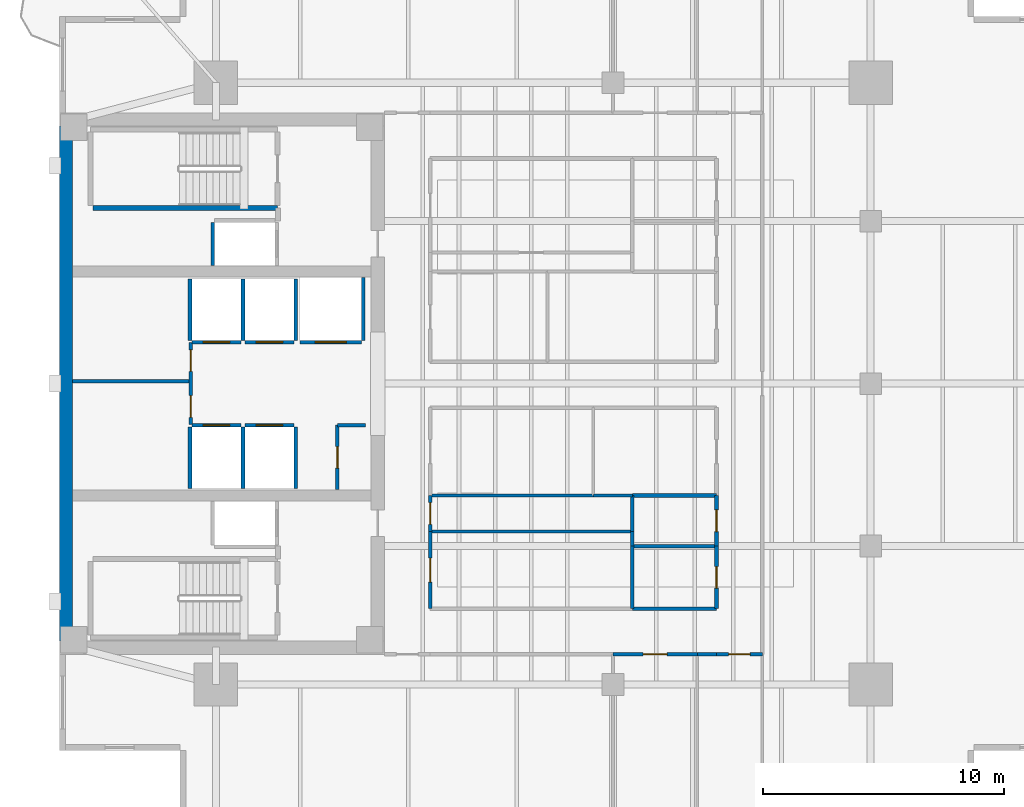
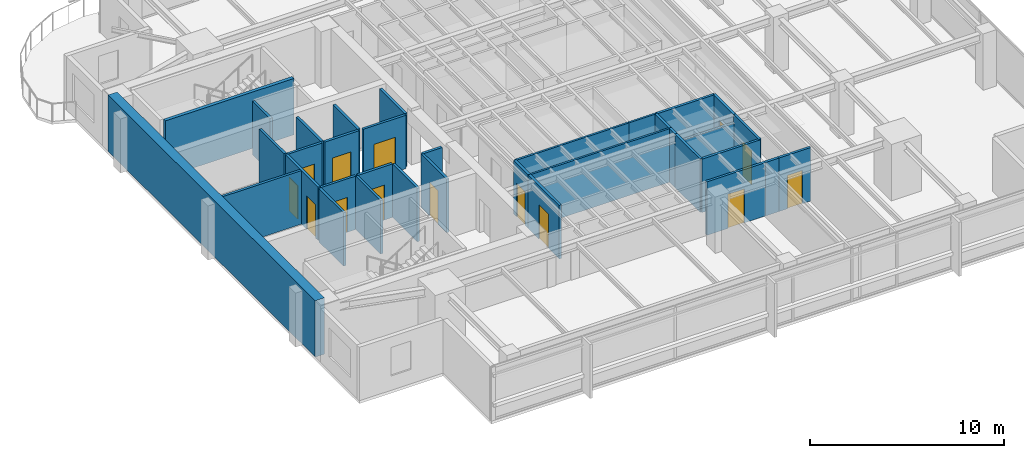
# One storey, part 8 of 14: 35 walls, 14 doors, 14 openings.
"""IFC4 building model written with IfcOpenShell, lengths in metres."""

from ifc_helpers import new_model, si_unit, direction, frame, frame_2d, origin, place, context, subcontext, project, spatial, rectangle, extrude, material, layer, layer_set, type_object, element, fill, save


model = new_model("IFC4")

# Units and contexts
model_context = context("Model", 3, precision=1e-05, world=origin(), true_north=direction((0.0, 1.0)))
body_context = subcontext(model_context, "Body", "Model", "MODEL_VIEW")
ifc_project = project(units=[si_unit("LENGTHUNIT", "METRE"), si_unit("AREAUNIT", "SQUARE_METRE"), si_unit("VOLUMEUNIT", "CUBIC_METRE"), si_unit("PLANEANGLEUNIT", "RADIAN"), si_unit("MASSUNIT", "GRAM", prefix="KILO")], contexts=[model_context])

# Site, building, storey
site_placement = place(None, origin())
site = spatial("IfcSite", under=ifc_project, at=site_placement, CompositionType="ELEMENT")
building_placement = place(site_placement, origin())
building = spatial("IfcBuilding", under=site, at=building_placement, Name="Kinhvarn Gate Tower", CompositionType="ELEMENT")
storey_placement = place(building_placement, frame((0.0, 0.0, 212.89990234375)))
storey = spatial("IfcBuildingStorey", under=building, at=storey_placement, Name="L56", CompositionType="ELEMENT", Elevation=212.89990234375)

# Walls
ifc_material_1 = material(Name="Concrete C60/75", Category="concrete")
ifc_layer_1 = layer(ifc_material_1, 0.550048828125)
ifc_layer_set_1 = layer_set([ifc_layer_1], Name="Concrete C60/75")
wall_type_1 = type_object("IfcWallType", Name="WL-COREX-550", PredefinedType="SHEAR", material=ifc_layer_set_1)
wall_1_placement = place(storey_placement, frame((4.77490234375, 14.550048828125, 0.0), z_axis=(0.0, 0.0, 1.0), x_axis=(0.0, 1.0, 0.0)))
element("IfcWall", 1, at=wall_1_placement, inside=storey, type_object=wall_type_1, Name="Core West Shear Wall L56 550 mm", PredefinedType="SHEAR", context=body_context, shape_type="SweptSolid", body=[
    extrude(rectangle(XDim=21.39990234375, YDim=0.550048828125, at=frame_2d((10.699951171875, 0.0))), origin(), (0.0, 0.0, 1.0), 3.550048828125),
])
ifc_material_2 = material(Name="Gypsum acoustic partition board")
ifc_layer_2 = layer(ifc_material_2, 0.14990234375)
ifc_layer_set_2 = layer_set([ifc_layer_2], Name="Gypsum acoustic partition board")
wall_type_2 = type_object("IfcWallType", Name="WL-PLM-150", PredefinedType="PLUMBINGWALL", material=ifc_layer_set_2)
wall_2_placement = place(storey_placement, frame((28.300048828125, 18.5, 0.0), z_axis=(0.0, 0.0, 1.0), x_axis=(1.0, 0.0, 0.0)))
element("IfcWall", 2, at=wall_2_placement, inside=storey, type_object=wall_type_2, Name="Interior Partition PLW-150 (L56)", PredefinedType="PLUMBINGWALL", context=body_context, shape_type="SweptSolid", body=[
    extrude(rectangle(XDim=3.5, YDim=0.14990234375, at=frame_2d((1.75, 0.0))), origin(), (0.0, 0.0, 1.0), 2.8701171875),
])
wall_3_placement = place(storey_placement, frame((28.300048828125, 15.89990234375, 0.0), z_axis=(0.0, 0.0, 1.0), x_axis=(0.0, 1.0, 0.0)))
element("IfcWall", 3, at=wall_3_placement, inside=storey, type_object=wall_type_2, Name="Interior Partition PLW-150 (L56)", PredefinedType="PLUMBINGWALL", context=body_context, shape_type="SweptSolid", body=[
    extrude(rectangle(XDim=2.60009765625, YDim=0.14990234375, at=frame_2d((1.300048828125, 0.0))), origin(), (0.0, 0.0, 1.0), 3.3701171875),
])
wall_4_placement = place(storey_placement, frame((28.300048828125, 18.5, 0.0), z_axis=(0.0, 0.0, 1.0), x_axis=(0.0, 1.0, 0.0)))
element("IfcWall", 4, at=wall_4_placement, inside=storey, type_object=wall_type_2, Name="Interior Partition PLW-150 (L56)", PredefinedType="PLUMBINGWALL", context=body_context, shape_type="SweptSolid", body=[
    extrude(rectangle(XDim=0.60009765625, YDim=0.14990234375, at=frame_2d((0.300048828125, 0.0))), origin(), (0.0, 0.0, 1.0), 3.3701171875),
])
wall_5_placement = place(storey_placement, frame((28.300048828125, 19.10009765625, 0.0), z_axis=(0.0, 0.0, 1.0), x_axis=(0.0, 1.0, 0.0)))
element("IfcWall", 5, at=wall_5_placement, inside=storey, type_object=wall_type_2, Name="Interior Partition PLW-150 (L56)", PredefinedType="PLUMBINGWALL", context=body_context, shape_type="SweptSolid", body=[
    extrude(rectangle(XDim=1.5, YDim=0.14990234375, at=frame_2d((0.75, 0.0))), origin(), (0.0, 0.0, 1.0), 3.3701171875),
])
wall_6_placement = place(storey_placement, frame((28.300048828125, 20.60009765625, 0.0), z_axis=(0.0, 0.0, 1.0), x_axis=(1.0, 0.0, 0.0)))
element("IfcWall", 6, at=wall_6_placement, inside=storey, type_object=wall_type_2, Name="Interior Partition PLW-150 (L56)", PredefinedType="PLUMBINGWALL", context=body_context, shape_type="SweptSolid", body=[
    extrude(rectangle(XDim=3.5, YDim=0.14990234375, at=frame_2d((1.75, 0.0))), origin(), (0.0, 0.0, 1.0), 3.3701171875),
])

# Wall, opening, door
ifc_layer_3 = layer(ifc_material_2, 0.14990234375)
ifc_layer_set_3 = layer_set([ifc_layer_3], Name="Gypsum acoustic partition board")
wall_type_3 = type_object("IfcWallType", Name="WL-PLM-150F", PredefinedType="PLUMBINGWALL", material=ifc_layer_set_3)
wall_7_placement = place(storey_placement, frame((31.800048828125, 15.89990234375, 0.0), z_axis=(0.0, 0.0, 1.0), x_axis=(0.0, 1.0, 0.0)))
wall_7 = element("IfcWall", 7, at=wall_7_placement, inside=storey, type_object=wall_type_3, Name="Interior Partition PLW-150F (L56)", PredefinedType="PLUMBINGWALL", context=body_context, shape_type="SweptSolid", body=[
    extrude(rectangle(XDim=2.60009765625, YDim=0.14990234375, at=frame_2d((1.300048828125, 0.0))), origin(), (0.0, 0.0, 1.0), 3.3701171875),
])
opening_1_placement = place(wall_7_placement, frame((0.85009765625, 0.0, 0.0)))
opening_1 = element("IfcOpeningElement", 8, at=opening_1_placement, cuts=wall_7, Name="Opening FD-04", PredefinedType="OPENING", context=body_context, shape_type="SweptSolid", body=[
    extrude(rectangle(XDim=0.89990234375, YDim=2.10009765625, at=frame_2d((0.449951171875, 1.050048828125))), frame((0.0, 0.0849609375, 0.0), z_axis=(0.0, -1.0, 0.0), x_axis=(1.0, 0.0, 0.0)), (0.0, 0.0, 1.0), 0.169921875),
])
ifc_material_3 = material(Name="Anodised aluminium AW-6063", Category="aluminium")
door_type_1 = type_object("IfcDoorType", Name="DR-FD-900", OperationType="NOTDEFINED", PredefinedType="DOOR", material=ifc_material_3)
door_1_placement = place(opening_1_placement, origin())
door_1 = element("IfcDoor", 9, at=door_1_placement, inside=storey, type_object=door_type_1, Name="Rated Riser & Service Closet Fire Door 900x2100 mm (L56)", OperationType="SINGLE_SWING_RIGHT", OverallHeight=2.10009765625, OverallWidth=0.89990234375, PredefinedType="DOOR", context=body_context, shape_type="SweptSolid", body=[
    extrude(rectangle(XDim=0.89990234375, YDim=2.10009765625, at=frame_2d((0.449951171875, 1.050048828125))), frame((0.0, 0.02490234375, 0.0), z_axis=(0.0, -1.0, 0.0), x_axis=(1.0, 0.0, 0.0)), (0.0, 0.0, 1.0), 0.050048828125),
])
fill(opening_1, door_1)

wall_8_placement = place(storey_placement, frame((31.800048828125, 18.5, 0.0), z_axis=(0.0, 0.0, 1.0), x_axis=(0.0, 1.0, 0.0)))
wall_8 = element("IfcWall", 10, at=wall_8_placement, inside=storey, type_object=wall_type_3, Name="Interior Partition PLW-150F (L56)", PredefinedType="PLUMBINGWALL", context=body_context, shape_type="SweptSolid", body=[
    extrude(rectangle(XDim=2.10009765625, YDim=0.14990234375, at=frame_2d((1.050048828125, 0.0))), origin(), (0.0, 0.0, 1.0), 3.3701171875),
])
opening_2_placement = place(wall_8_placement, frame((0.60009765625, 0.0, 0.0)))
opening_2 = element("IfcOpeningElement", 11, at=opening_2_placement, cuts=wall_8, Name="Opening FD-04", PredefinedType="OPENING", context=body_context, shape_type="SweptSolid", body=[
    extrude(rectangle(XDim=0.89990234375, YDim=2.10009765625, at=frame_2d((0.449951171875, 1.050048828125))), frame((0.0, 0.0849609375, 0.0), z_axis=(0.0, -1.0, 0.0), x_axis=(1.0, 0.0, 0.0)), (0.0, 0.0, 1.0), 0.169921875),
])
door_2_placement = place(opening_2_placement, origin())
door_2 = element("IfcDoor", 12, at=door_2_placement, inside=storey, type_object=door_type_1, Name="Rated Riser & Service Closet Fire Door 900x2100 mm (L56)", OperationType="SINGLE_SWING_RIGHT", OverallHeight=2.10009765625, OverallWidth=0.89990234375, PredefinedType="DOOR", context=body_context, shape_type="SweptSolid", body=[
    extrude(rectangle(XDim=0.89990234375, YDim=2.10009765625, at=frame_2d((0.449951171875, 1.050048828125))), frame((0.0, 0.02490234375, 0.0), z_axis=(0.0, -1.0, 0.0), x_axis=(1.0, 0.0, 0.0)), (0.0, 0.0, 1.0), 0.050048828125),
])
fill(opening_2, door_2)

# Walls
wall_9_placement = place(storey_placement, frame((28.300048828125, 15.89990234375, 0.0), z_axis=(0.0, 0.0, 1.0), x_axis=(1.0, 0.0, 0.0)))
element("IfcWall", 13, at=wall_9_placement, inside=storey, type_object=wall_type_3, Name="Interior Partition PLW-150F (L56)", PredefinedType="PLUMBINGWALL", context=body_context, shape_type="SweptSolid", body=[
    extrude(rectangle(XDim=3.5, YDim=0.14990234375, at=frame_2d((1.75, 0.0))), origin(), (0.0, 0.0, 1.0), 3.3701171875),
])
ifc_layer_4 = layer(ifc_material_2, 0.1201171875)
ifc_layer_set_4 = layer_set([ifc_layer_4], Name="Gypsum acoustic partition board")
wall_type_4 = type_object("IfcWallType", Name="WL-PRT-120", PredefinedType="PARTITIONING", material=ifc_layer_set_4)
wall_10_placement = place(storey_placement, frame((19.89990234375, 19.10009765625, 0.0), z_axis=(0.0, 0.0, 1.0), x_axis=(1.0, 0.0, 0.0)))
element("IfcWall", 14, at=wall_10_placement, inside=storey, type_object=wall_type_4, Name="Interior Partition PW-120 (L56)", PredefinedType="PARTITIONING", context=body_context, shape_type="SweptSolid", body=[
    extrude(rectangle(XDim=8.400146484375, YDim=0.1201171875, at=frame_2d((4.2001953125, 0.0))), origin(), (0.0, 0.0, 1.0), 3.3701171875),
])
wall_11_placement = place(storey_placement, frame((19.89990234375, 20.60009765625, 0.0), z_axis=(0.0, 0.0, 1.0), x_axis=(1.0, 0.0, 0.0)))
element("IfcWall", 15, at=wall_11_placement, inside=storey, type_object=wall_type_4, Name="Interior Partition PW-120 (L56)", PredefinedType="PARTITIONING", context=body_context, shape_type="SweptSolid", body=[
    extrude(rectangle(XDim=6.780029296875, YDim=0.1201171875, at=frame_2d((3.39013671875, 0.0))), origin(), (0.0, 0.0, 1.0), 3.3701171875),
])
wall_12_placement = place(storey_placement, frame((26.679931640625, 20.60009765625, 0.0), z_axis=(0.0, 0.0, 1.0), x_axis=(1.0, 0.0, 0.0)))
element("IfcWall", 16, at=wall_12_placement, inside=storey, type_object=wall_type_4, Name="Interior Partition PW-120 (L56)", PredefinedType="PARTITIONING", context=body_context, shape_type="SweptSolid", body=[
    extrude(rectangle(XDim=1.6201171875, YDim=0.1201171875, at=frame_2d((0.81005859375, 0.0))), origin(), (0.0, 0.0, 1.0), 3.3701171875),
])
ifc_layer_5 = layer(ifc_material_2, 0.14990234375)
ifc_layer_set_5 = layer_set([ifc_layer_5], Name="Gypsum acoustic partition board")
wall_type_5 = type_object("IfcWallType", Name="WL-PRT-150F", PredefinedType="PARTITIONING", material=ifc_layer_set_5)
wall_13_placement = place(storey_placement, frame((5.050048828125, 25.35009765625, 0.0), z_axis=(0.0, 0.0, 1.0), x_axis=(1.0, 0.0, 0.0)))
element("IfcWall", 17, at=wall_13_placement, inside=storey, type_object=wall_type_5, Name="Interior Partition PW-150F (L56)", PredefinedType="PARTITIONING", context=body_context, shape_type="SweptSolid", body=[
    extrude(rectangle(XDim=4.89990234375, YDim=0.14990234375, at=frame_2d((2.449951171875, 0.0))), origin(), (0.0, 0.0, 1.0), 3.3701171875),
])

# Wall, openings, doors
wall_14_placement = place(storey_placement, frame((9.949951171875, 23.550048828125, 0.0), z_axis=(0.0, 0.0, 1.0), x_axis=(0.0, 1.0, 0.0)))
wall_14 = element("IfcWall", 18, at=wall_14_placement, inside=storey, type_object=wall_type_5, Name="Interior Partition PW-150F (L56)", PredefinedType="PARTITIONING", context=body_context, shape_type="SweptSolid", body=[
    extrude(rectangle(XDim=3.39990234375, YDim=0.14990234375, at=frame_2d((1.699951171875, 0.0))), origin(), (0.0, 0.0, 1.0), 3.3701171875),
])
opening_3_placement = place(wall_14_placement, frame((0.298095703125, 0.0, 0.0)))
opening_3 = element("IfcOpeningElement", 19, at=opening_3_placement, cuts=wall_14, Name="Opening FD-04", PredefinedType="OPENING", context=body_context, shape_type="SweptSolid", body=[
    extrude(rectangle(XDim=0.89990234375, YDim=2.10009765625, at=frame_2d((0.449951171875, 1.050048828125))), frame((0.0, 0.0849609375, 0.0), z_axis=(0.0, -1.0, 0.0), x_axis=(1.0, 0.0, 0.0)), (0.0, 0.0, 1.0), 0.169921875),
])
opening_4_placement = place(wall_14_placement, frame((2.201904296875, 0.0, 0.0)))
opening_4 = element("IfcOpeningElement", 20, at=opening_4_placement, cuts=wall_14, Name="Opening FD-04", PredefinedType="OPENING", context=body_context, shape_type="SweptSolid", body=[
    extrude(rectangle(XDim=0.89990234375, YDim=2.10009765625, at=frame_2d((0.449951171875, 1.050048828125))), frame((0.0, 0.0849609375, 0.0), z_axis=(0.0, -1.0, 0.0), x_axis=(1.0, 0.0, 0.0)), (0.0, 0.0, 1.0), 0.169921875),
])
door_3_placement = place(opening_3_placement, origin())
door_3 = element("IfcDoor", 21, at=door_3_placement, inside=storey, type_object=door_type_1, Name="Rated Riser & Service Closet Fire Door 900x2100 mm (L56)", OperationType="SINGLE_SWING_RIGHT", OverallHeight=2.10009765625, OverallWidth=0.89990234375, PredefinedType="DOOR", context=body_context, shape_type="SweptSolid", body=[
    extrude(rectangle(XDim=0.89990234375, YDim=2.10009765625, at=frame_2d((0.449951171875, 1.050048828125))), frame((0.0, 0.02490234375, 0.0), z_axis=(0.0, -1.0, 0.0), x_axis=(1.0, 0.0, 0.0)), (0.0, 0.0, 1.0), 0.050048828125),
])
fill(opening_3, door_3)
door_4_placement = place(opening_4_placement, origin())
door_4 = element("IfcDoor", 22, at=door_4_placement, inside=storey, type_object=door_type_1, Name="Rated Riser & Service Closet Fire Door 900x2100 mm (L56)", OperationType="SINGLE_SWING_LEFT", OverallHeight=2.10009765625, OverallWidth=0.89990234375, PredefinedType="DOOR", context=body_context, shape_type="SweptSolid", body=[
    extrude(rectangle(XDim=0.89990234375, YDim=2.10009765625, at=frame_2d((0.449951171875, 1.050048828125))), frame((0.0, 0.02490234375, 0.0), z_axis=(0.0, -1.0, 0.0), x_axis=(1.0, 0.0, 0.0)), (0.0, 0.0, 1.0), 0.050048828125),
])
fill(opening_4, door_4)

# Wall, opening, door
wall_15_placement = place(storey_placement, frame((16.050048828125, 20.85009765625, 0.0), z_axis=(0.0, 0.0, 1.0), x_axis=(0.0, 1.0, 0.0)))
wall_15 = element("IfcWall", 23, at=wall_15_placement, inside=storey, type_object=wall_type_5, Name="Interior Partition PW-150F (L56)", PredefinedType="PARTITIONING", context=body_context, shape_type="SweptSolid", body=[
    extrude(rectangle(XDim=2.669921875, YDim=0.14990234375, at=frame_2d((1.3349609375, 0.0))), origin(), (0.0, 0.0, 1.0), 3.3701171875),
])
opening_5_placement = place(wall_15_placement, frame((0.885009765625, 0.0, 0.0)))
opening_5 = element("IfcOpeningElement", 24, at=opening_5_placement, cuts=wall_15, Name="Opening FD-04", PredefinedType="OPENING", context=body_context, shape_type="SweptSolid", body=[
    extrude(rectangle(XDim=0.89990234375, YDim=2.10009765625, at=frame_2d((0.449951171875, 1.050048828125))), frame((0.0, 0.0849609375, 0.0), z_axis=(0.0, -1.0, 0.0), x_axis=(1.0, 0.0, 0.0)), (0.0, 0.0, 1.0), 0.169921875),
])
door_5_placement = place(opening_5_placement, origin())
door_5 = element("IfcDoor", 25, at=door_5_placement, inside=storey, type_object=door_type_1, Name="Rated Riser & Service Closet Fire Door 900x2100 mm (L56)", OperationType="SINGLE_SWING_RIGHT", OverallHeight=2.10009765625, OverallWidth=0.89990234375, PredefinedType="DOOR", context=body_context, shape_type="SweptSolid", body=[
    extrude(rectangle(XDim=0.89990234375, YDim=2.10009765625, at=frame_2d((0.449951171875, 1.050048828125))), frame((0.0, 0.02490234375, 0.0), z_axis=(0.0, -1.0, 0.0), x_axis=(1.0, 0.0, 0.0)), (0.0, 0.0, 1.0), 0.050048828125),
])
fill(opening_5, door_5)

# Wall
wall_16_placement = place(storey_placement, frame((16.050048828125, 23.52001953125, 0.0), z_axis=(0.0, 0.0, 1.0), x_axis=(1.0, 0.0, 0.0)))
element("IfcWall", 26, at=wall_16_placement, inside=storey, type_object=wall_type_5, Name="Interior Partition PW-150F (L56)", PredefinedType="PARTITIONING", context=body_context, shape_type="SweptSolid", body=[
    extrude(rectangle(XDim=1.169921875, YDim=0.14990234375, at=frame_2d((0.5849609375, 0.0))), origin(), (0.0, 0.0, 1.0), 3.3701171875),
])

# Wall, opening, door
wall_17_placement = place(storey_placement, frame((19.89990234375, 15.89990234375, 0.0), z_axis=(0.0, 0.0, 1.0), x_axis=(0.0, 1.0, 0.0)))
wall_17 = element("IfcWall", 27, at=wall_17_placement, inside=storey, type_object=wall_type_5, Name="Interior Partition PW-150F (L56)", PredefinedType="PARTITIONING", context=body_context, shape_type="SweptSolid", body=[
    extrude(rectangle(XDim=3.2001953125, YDim=0.14990234375, at=frame_2d((1.60009765625, 0.0))), origin(), (0.0, 0.0, 1.0), 3.3701171875),
])
opening_6_placement = place(wall_17_placement, frame((1.10009765625, 0.0, 0.0)))
opening_6 = element("IfcOpeningElement", 28, at=opening_6_placement, cuts=wall_17, Name="Opening ID-02", PredefinedType="OPENING", context=body_context, shape_type="SweptSolid", body=[
    extrude(rectangle(XDim=1.0, YDim=2.14990234375, at=frame_2d((0.5, 1.074951171875))), frame((0.0, 0.0849609375, 0.0), z_axis=(0.0, -1.0, 0.0), x_axis=(1.0, 0.0, 0.0)), (0.0, 0.0, 1.0), 0.169921875),
])
door_type_2 = type_object("IfcDoorType", Name="DR-INT-1000", OperationType="NOTDEFINED", PredefinedType="DOOR", material=ifc_material_3)
door_6_placement = place(opening_6_placement, origin())
door_6 = element("IfcDoor", 29, at=door_6_placement, inside=storey, type_object=door_type_2, Name="Standard Office & Meeting Room Door 1000x2150 mm (L56)", OperationType="SINGLE_SWING_LEFT", OverallHeight=2.14990234375, OverallWidth=1.0, PredefinedType="DOOR", context=body_context, shape_type="SweptSolid", body=[
    extrude(rectangle(XDim=1.0, YDim=2.14990234375, at=frame_2d((0.5, 1.074951171875))), frame((0.0, 0.02490234375, 0.0), z_axis=(0.0, -1.0, 0.0), x_axis=(1.0, 0.0, 0.0)), (0.0, 0.0, 1.0), 0.050048828125),
])
fill(opening_6, door_6)

wall_18_placement = place(storey_placement, frame((19.89990234375, 19.10009765625, 0.0), z_axis=(0.0, 0.0, 1.0), x_axis=(0.0, 1.0, 0.0)))
wall_18 = element("IfcWall", 30, at=wall_18_placement, inside=storey, type_object=wall_type_5, Name="Interior Partition PW-150F (L56)", PredefinedType="PARTITIONING", context=body_context, shape_type="SweptSolid", body=[
    extrude(rectangle(XDim=1.5, YDim=0.14990234375, at=frame_2d((0.75, 0.0))), origin(), (0.0, 0.0, 1.0), 3.3701171875),
])
opening_7_placement = place(wall_18_placement, frame((0.300048828125, 0.0, 0.0)))
opening_7 = element("IfcOpeningElement", 31, at=opening_7_placement, cuts=wall_18, Name="Opening ID-03", PredefinedType="OPENING", context=body_context, shape_type="SweptSolid", body=[
    extrude(rectangle(XDim=0.89990234375, YDim=2.10009765625, at=frame_2d((0.449951171875, 1.050048828125))), frame((0.0, 0.0849609375, 0.0), z_axis=(0.0, -1.0, 0.0), x_axis=(1.0, 0.0, 0.0)), (0.0, 0.0, 1.0), 0.169921875),
])
door_type_3 = type_object("IfcDoorType", Name="DR-INT-900", OperationType="NOTDEFINED", PredefinedType="DOOR", material=ifc_material_3)
door_7_placement = place(opening_7_placement, origin())
door_7 = element("IfcDoor", 32, at=door_7_placement, inside=storey, type_object=door_type_3, Name="Cellular Office & Restroom Door 900x2100 mm (L56)", OperationType="SINGLE_SWING_RIGHT", OverallHeight=2.10009765625, OverallWidth=0.89990234375, PredefinedType="DOOR", context=body_context, shape_type="SweptSolid", body=[
    extrude(rectangle(XDim=0.89990234375, YDim=2.10009765625, at=frame_2d((0.449951171875, 1.050048828125))), frame((0.0, 0.02490234375, 0.0), z_axis=(0.0, -1.0, 0.0), x_axis=(1.0, 0.0, 0.0)), (0.0, 0.0, 1.0), 0.050048828125),
])
fill(opening_7, door_7)

wall_19_placement = place(storey_placement, frame((31.800048828125, 14.0, 0.0), z_axis=(0.0, 0.0, 1.0), x_axis=(1.0, 0.0, 0.0)))
wall_19 = element("IfcWall", 33, at=wall_19_placement, inside=storey, type_object=wall_type_5, Name="Interior Partition PW-150F (L56)", PredefinedType="PARTITIONING", context=body_context, shape_type="SweptSolid", body=[
    extrude(rectangle(XDim=1.89990234375, YDim=0.14990234375, at=frame_2d((0.949951171875, 0.0))), origin(), (0.0, 0.0, 1.0), 3.3701171875),
])
opening_8_placement = place(wall_19_placement, frame((0.5, 0.0, 0.0)))
opening_8 = element("IfcOpeningElement", 34, at=opening_8_placement, cuts=wall_19, Name="Opening ID-03", PredefinedType="OPENING", context=body_context, shape_type="SweptSolid", body=[
    extrude(rectangle(XDim=0.89990234375, YDim=2.10009765625, at=frame_2d((0.449951171875, 1.050048828125))), frame((0.0, 0.0849609375, 0.0), z_axis=(0.0, -1.0, 0.0), x_axis=(1.0, 0.0, 0.0)), (0.0, 0.0, 1.0), 0.169921875),
])
door_8_placement = place(opening_8_placement, origin())
door_8 = element("IfcDoor", 35, at=door_8_placement, inside=storey, type_object=door_type_3, Name="Cellular Office & Restroom Door 900x2100 mm (L56)", OperationType="SINGLE_SWING_RIGHT", OverallHeight=2.10009765625, OverallWidth=0.89990234375, PredefinedType="DOOR", context=body_context, shape_type="SweptSolid", body=[
    extrude(rectangle(XDim=0.89990234375, YDim=2.10009765625, at=frame_2d((0.449951171875, 1.050048828125))), frame((0.0, 0.02490234375, 0.0), z_axis=(0.0, -1.0, 0.0), x_axis=(1.0, 0.0, 0.0)), (0.0, 0.0, 1.0), 0.050048828125),
])
fill(opening_8, door_8)

wall_20_placement = place(storey_placement, frame((27.5, 14.0, 0.0), z_axis=(0.0, 0.0, 1.0), x_axis=(1.0, 0.0, 0.0)))
wall_20 = element("IfcWall", 36, at=wall_20_placement, inside=storey, type_object=wall_type_5, Name="Interior Partition PW-150F (L56)", PredefinedType="PARTITIONING", context=body_context, shape_type="SweptSolid", body=[
    extrude(rectangle(XDim=3.5, YDim=0.14990234375, at=frame_2d((1.75, 0.0))), origin(), (0.0, 0.0, 1.0), 3.3701171875),
])
opening_9_placement = place(wall_20_placement, frame((1.25, 0.0, 0.0)))
opening_9 = element("IfcOpeningElement", 37, at=opening_9_placement, cuts=wall_20, Name="Opening ID-02", PredefinedType="OPENING", context=body_context, shape_type="SweptSolid", body=[
    extrude(rectangle(XDim=1.0, YDim=2.14990234375, at=frame_2d((0.5, 1.074951171875))), frame((0.0, 0.0849609375, 0.0), z_axis=(0.0, -1.0, 0.0), x_axis=(1.0, 0.0, 0.0)), (0.0, 0.0, 1.0), 0.169921875),
])
door_9_placement = place(opening_9_placement, origin())
door_9 = element("IfcDoor", 38, at=door_9_placement, inside=storey, type_object=door_type_2, Name="Standard Office & Meeting Room Door 1000x2150 mm (L56)", OperationType="SINGLE_SWING_LEFT", OverallHeight=2.14990234375, OverallWidth=1.0, PredefinedType="DOOR", context=body_context, shape_type="SweptSolid", body=[
    extrude(rectangle(XDim=1.0, YDim=2.14990234375, at=frame_2d((0.5, 1.074951171875))), frame((0.0, 0.02490234375, 0.0), z_axis=(0.0, -1.0, 0.0), x_axis=(1.0, 0.0, 0.0)), (0.0, 0.0, 1.0), 0.050048828125),
])
fill(opening_9, door_9)

# Wall
wall_21_placement = place(storey_placement, frame((31.0, 14.0, 0.0), z_axis=(0.0, 0.0, 1.0), x_axis=(1.0, 0.0, 0.0)))
element("IfcWall", 39, at=wall_21_placement, inside=storey, type_object=wall_type_5, Name="Interior Partition PW-150F (L56)", PredefinedType="PARTITIONING", context=body_context, shape_type="SweptSolid", body=[
    extrude(rectangle(XDim=0.800048828125, YDim=0.14990234375, at=frame_2d((0.39990234375, 0.0))), origin(), (0.0, 0.0, 1.0), 3.3701171875),
])

# Wall, opening, door
ifc_layer_6 = layer(ifc_material_2, 0.14990234375)
ifc_layer_set_6 = layer_set([ifc_layer_6], Name="Gypsum acoustic partition board")
wall_type_6 = type_object("IfcWallType", Name="WL-SHF-150", PredefinedType="PARTITIONING", material=ifc_layer_set_6)
wall_22_placement = place(storey_placement, frame((10.0, 23.52490234375, 0.0), z_axis=(0.0, 0.0, 1.0), x_axis=(1.0, 0.0, 0.0)))
wall_22 = element("IfcWall", 40, at=wall_22_placement, inside=storey, type_object=wall_type_6, Name="Elevator PH-09 Landing Wall (L56)", PredefinedType="PARTITIONING", context=body_context, shape_type="SweptSolid", body=[
    extrude(rectangle(XDim=2.050048828125, YDim=0.14990234375, at=frame_2d((1.02490234375, 0.0))), origin(), (0.0, 0.0, 1.0), 3.3701171875),
])
opening_10_placement = place(wall_22_placement, frame((0.47509765625, 0.0, 0.0)))
opening_10 = element("IfcOpeningElement", 41, at=opening_10_placement, cuts=wall_22, Name="Opening LD-01", PredefinedType="OPENING", context=body_context, shape_type="SweptSolid", body=[
    extrude(rectangle(XDim=1.10009765625, YDim=2.199951171875, at=frame_2d((0.550048828125, 1.10009765625))), frame((0.0, 0.0849609375, 0.0), z_axis=(0.0, -1.0, 0.0), x_axis=(1.0, 0.0, 0.0)), (0.0, 0.0, 1.0), 0.169921875),
])
door_type_4 = type_object("IfcDoorType", Name="DR-LND-PAS", OperationType="NOTDEFINED", PredefinedType="DOOR", material=ifc_material_3)
door_10_placement = place(opening_10_placement, origin())
door_10 = element("IfcDoor", 42, at=door_10_placement, inside=storey, type_object=door_type_4, Name="Elevator PH-09 Sliding Landing Door (L56)", OperationType="DOUBLE_DOOR_SLIDING", OverallHeight=2.199951171875, OverallWidth=1.10009765625, PredefinedType="DOOR", context=body_context, shape_type="SweptSolid", body=[
    extrude(rectangle(XDim=1.10009765625, YDim=2.199951171875, at=frame_2d((0.550048828125, 1.10009765625))), frame((0.0, 0.02490234375, 0.0), z_axis=(0.0, -1.0, 0.0), x_axis=(1.0, 0.0, 0.0)), (0.0, 0.0, 1.0), 0.050048828125),
])
fill(opening_10, door_10)

# Walls
for number, where, z_axis, x_axis, name in (
    (43, (9.925048828125, 20.89990234375, 0.0), (0.0, 0.0, 1.0), (0.0, 1.0, 0.0), "Elevator PH-09 Hoistway Wall W (L56)"),
    (44, (12.125, 20.89990234375, 0.0), (0.0, 0.0, 1.0), (0.0, 1.0, 0.0), "Elevator PH-09 Hoistway Wall E (L56)"),
):
    element("IfcWall", number, at=place(storey_placement, frame(where, z_axis=z_axis, x_axis=x_axis)), inside=storey, type_object=wall_type_6, Name=name, PredefinedType="PARTITIONING", context=body_context, shape_type="SweptSolid", body=[
        extrude(rectangle(XDim=2.550048828125, YDim=0.14990234375, at=frame_2d((1.27490234375, 0.0))), origin(), (0.0, 0.0, 1.0), 3.3701171875),
    ])

# Wall, opening, door
wall_23_placement = place(storey_placement, frame((12.199951171875, 23.52490234375, 0.0), z_axis=(0.0, 0.0, 1.0), x_axis=(1.0, 0.0, 0.0)))
wall_23 = element("IfcWall", 45, at=wall_23_placement, inside=storey, type_object=wall_type_6, Name="Elevator PH-10 Landing Wall (L56)", PredefinedType="PARTITIONING", context=body_context, shape_type="SweptSolid", body=[
    extrude(rectangle(XDim=2.050048828125, YDim=0.14990234375, at=frame_2d((1.02490234375, 0.0))), origin(), (0.0, 0.0, 1.0), 3.3701171875),
])
opening_11_placement = place(wall_23_placement, frame((0.47509765625, 0.0, 0.0)))
opening_11 = element("IfcOpeningElement", 46, at=opening_11_placement, cuts=wall_23, Name="Opening LD-01", PredefinedType="OPENING", context=body_context, shape_type="SweptSolid", body=[
    extrude(rectangle(XDim=1.10009765625, YDim=2.199951171875, at=frame_2d((0.550048828125, 1.10009765625))), frame((0.0, 0.0849609375, 0.0), z_axis=(0.0, -1.0, 0.0), x_axis=(1.0, 0.0, 0.0)), (0.0, 0.0, 1.0), 0.169921875),
])
door_11_placement = place(opening_11_placement, origin())
door_11 = element("IfcDoor", 47, at=door_11_placement, inside=storey, type_object=door_type_4, Name="Elevator PH-10 Sliding Landing Door (L56)", OperationType="DOUBLE_DOOR_SLIDING", OverallHeight=2.199951171875, OverallWidth=1.10009765625, PredefinedType="DOOR", context=body_context, shape_type="SweptSolid", body=[
    extrude(rectangle(XDim=1.10009765625, YDim=2.199951171875, at=frame_2d((0.550048828125, 1.10009765625))), frame((0.0, 0.02490234375, 0.0), z_axis=(0.0, -1.0, 0.0), x_axis=(1.0, 0.0, 0.0)), (0.0, 0.0, 1.0), 0.050048828125),
])
fill(opening_11, door_11)

# Wall
wall_24_placement = place(storey_placement, frame((14.324951171875, 20.89990234375, 0.0), z_axis=(0.0, 0.0, 1.0), x_axis=(0.0, 1.0, 0.0)))
element("IfcWall", 48, at=wall_24_placement, inside=storey, type_object=wall_type_6, Name="Elevator PH-10 Hoistway Wall E (L56)", PredefinedType="PARTITIONING", context=body_context, shape_type="SweptSolid", body=[
    extrude(rectangle(XDim=2.550048828125, YDim=0.14990234375, at=frame_2d((1.27490234375, 0.0))), origin(), (0.0, 0.0, 1.0), 3.3701171875),
])

# Wall, opening, door
wall_25_placement = place(storey_placement, frame((10.0, 26.97509765625, 0.0), z_axis=(0.0, 0.0, 1.0), x_axis=(1.0, 0.0, 0.0)))
wall_25 = element("IfcWall", 49, at=wall_25_placement, inside=storey, type_object=wall_type_6, Name="Elevator PH-11 Landing Wall (L56)", PredefinedType="PARTITIONING", context=body_context, shape_type="SweptSolid", body=[
    extrude(rectangle(XDim=2.050048828125, YDim=0.14990234375, at=frame_2d((1.02490234375, 0.0))), origin(), (0.0, 0.0, 1.0), 3.3701171875),
])
opening_12_placement = place(wall_25_placement, frame((0.47509765625, 0.0, 0.0)))
opening_12 = element("IfcOpeningElement", 50, at=opening_12_placement, cuts=wall_25, Name="Opening LD-01", PredefinedType="OPENING", context=body_context, shape_type="SweptSolid", body=[
    extrude(rectangle(XDim=1.10009765625, YDim=2.199951171875, at=frame_2d((0.550048828125, 1.10009765625))), frame((0.0, 0.0849609375, 0.0), z_axis=(0.0, -1.0, 0.0), x_axis=(1.0, 0.0, 0.0)), (0.0, 0.0, 1.0), 0.169921875),
])
door_12_placement = place(opening_12_placement, origin())
door_12 = element("IfcDoor", 51, at=door_12_placement, inside=storey, type_object=door_type_4, Name="Elevator PH-11 Sliding Landing Door (L56)", OperationType="DOUBLE_DOOR_SLIDING", OverallHeight=2.199951171875, OverallWidth=1.10009765625, PredefinedType="DOOR", context=body_context, shape_type="SweptSolid", body=[
    extrude(rectangle(XDim=1.10009765625, YDim=2.199951171875, at=frame_2d((0.550048828125, 1.10009765625))), frame((0.0, 0.02490234375, 0.0), z_axis=(0.0, -1.0, 0.0), x_axis=(1.0, 0.0, 0.0)), (0.0, 0.0, 1.0), 0.050048828125),
])
fill(opening_12, door_12)

# Walls
for number, where, z_axis, x_axis, name in (
    (52, (9.925048828125, 27.050048828125, 0.0), (0.0, 0.0, 1.0), (0.0, 1.0, 0.0), "Elevator PH-11 Hoistway Wall W (L56)"),
    (53, (12.125, 27.050048828125, 0.0), (0.0, 0.0, 1.0), (0.0, 1.0, 0.0), "Elevator PH-11 Hoistway Wall E (L56)"),
):
    element("IfcWall", number, at=place(storey_placement, frame(where, z_axis=z_axis, x_axis=x_axis)), inside=storey, type_object=wall_type_6, Name=name, PredefinedType="PARTITIONING", context=body_context, shape_type="SweptSolid", body=[
        extrude(rectangle(XDim=2.550048828125, YDim=0.14990234375, at=frame_2d((1.27490234375, 0.0))), origin(), (0.0, 0.0, 1.0), 3.3701171875),
    ])

# Wall, opening, door
wall_26_placement = place(storey_placement, frame((12.199951171875, 26.97509765625, 0.0), z_axis=(0.0, 0.0, 1.0), x_axis=(1.0, 0.0, 0.0)))
wall_26 = element("IfcWall", 54, at=wall_26_placement, inside=storey, type_object=wall_type_6, Name="Elevator PH-12 Landing Wall (L56)", PredefinedType="PARTITIONING", context=body_context, shape_type="SweptSolid", body=[
    extrude(rectangle(XDim=2.050048828125, YDim=0.14990234375, at=frame_2d((1.02490234375, 0.0))), origin(), (0.0, 0.0, 1.0), 3.3701171875),
])
opening_13_placement = place(wall_26_placement, frame((0.47509765625, 0.0, 0.0)))
opening_13 = element("IfcOpeningElement", 55, at=opening_13_placement, cuts=wall_26, Name="Opening LD-01", PredefinedType="OPENING", context=body_context, shape_type="SweptSolid", body=[
    extrude(rectangle(XDim=1.10009765625, YDim=2.199951171875, at=frame_2d((0.550048828125, 1.10009765625))), frame((0.0, 0.0849609375, 0.0), z_axis=(0.0, -1.0, 0.0), x_axis=(1.0, 0.0, 0.0)), (0.0, 0.0, 1.0), 0.169921875),
])
door_13_placement = place(opening_13_placement, origin())
door_13 = element("IfcDoor", 56, at=door_13_placement, inside=storey, type_object=door_type_4, Name="Elevator PH-12 Sliding Landing Door (L56)", OperationType="DOUBLE_DOOR_SLIDING", OverallHeight=2.199951171875, OverallWidth=1.10009765625, PredefinedType="DOOR", context=body_context, shape_type="SweptSolid", body=[
    extrude(rectangle(XDim=1.10009765625, YDim=2.199951171875, at=frame_2d((0.550048828125, 1.10009765625))), frame((0.0, 0.02490234375, 0.0), z_axis=(0.0, -1.0, 0.0), x_axis=(1.0, 0.0, 0.0)), (0.0, 0.0, 1.0), 0.050048828125),
])
fill(opening_13, door_13)

# Wall
wall_27_placement = place(storey_placement, frame((14.324951171875, 27.050048828125, 0.0), z_axis=(0.0, 0.0, 1.0), x_axis=(0.0, 1.0, 0.0)))
element("IfcWall", 57, at=wall_27_placement, inside=storey, type_object=wall_type_6, Name="Elevator PH-12 Hoistway Wall E (L56)", PredefinedType="PARTITIONING", context=body_context, shape_type="SweptSolid", body=[
    extrude(rectangle(XDim=2.550048828125, YDim=0.14990234375, at=frame_2d((1.27490234375, 0.0))), origin(), (0.0, 0.0, 1.0), 3.3701171875),
])

# Wall, opening, door
wall_28_placement = place(storey_placement, frame((14.5, 26.97509765625, 0.0), z_axis=(0.0, 0.0, 1.0), x_axis=(1.0, 0.0, 0.0)))
wall_28 = element("IfcWall", 58, at=wall_28_placement, inside=storey, type_object=wall_type_6, Name="Elevator SV-01 Landing Wall (L56)", PredefinedType="PARTITIONING", context=body_context, shape_type="SweptSolid", body=[
    extrude(rectangle(XDim=2.550048828125, YDim=0.14990234375, at=frame_2d((1.27490234375, 0.0))), origin(), (0.0, 0.0, 1.0), 3.3701171875),
])
opening_14_placement = place(wall_28_placement, frame((0.625, 0.0, 0.0)))
opening_14 = element("IfcOpeningElement", 59, at=opening_14_placement, cuts=wall_28, Name="Opening LD-02", PredefinedType="OPENING", context=body_context, shape_type="SweptSolid", body=[
    extrude(rectangle(XDim=1.300048828125, YDim=2.199951171875, at=frame_2d((0.64990234375, 1.10009765625))), frame((0.0, 0.0849609375, 0.0), z_axis=(0.0, -1.0, 0.0), x_axis=(1.0, 0.0, 0.0)), (0.0, 0.0, 1.0), 0.169921875),
])
door_type_5 = type_object("IfcDoorType", Name="DR-LND-SRV", OperationType="NOTDEFINED", PredefinedType="DOOR", material=ifc_material_3)
door_14_placement = place(opening_14_placement, origin())
door_14 = element("IfcDoor", 60, at=door_14_placement, inside=storey, type_object=door_type_5, Name="Elevator SV-01 Sliding Landing Door (L56)", OperationType="DOUBLE_DOOR_SLIDING", OverallHeight=2.199951171875, OverallWidth=1.300048828125, PredefinedType="DOOR", context=body_context, shape_type="SweptSolid", body=[
    extrude(rectangle(XDim=1.300048828125, YDim=2.199951171875, at=frame_2d((0.64990234375, 1.10009765625))), frame((0.0, 0.02490234375, 0.0), z_axis=(0.0, -1.0, 0.0), x_axis=(1.0, 0.0, 0.0)), (0.0, 0.0, 1.0), 0.050048828125),
])
fill(opening_14, door_14)

# Walls
wall_29_placement = place(storey_placement, frame((17.125, 27.050048828125, 0.0), z_axis=(0.0, 0.0, 1.0), x_axis=(0.0, 1.0, 0.0)))
element("IfcWall", 61, at=wall_29_placement, inside=storey, type_object=wall_type_6, Name="Elevator SV-01 Hoistway Wall E (L56)", PredefinedType="PARTITIONING", context=body_context, shape_type="SweptSolid", body=[
    extrude(rectangle(XDim=2.599853515625, YDim=0.14990234375, at=frame_2d((1.2998046875, 0.0))), origin(), (0.0, 0.0, 1.0), 3.3701171875),
])
wall_30_placement = place(storey_placement, frame((10.875, 30.14990234375, 0.0), z_axis=(0.0, 0.0, 1.0), x_axis=(0.0, 1.0, 0.0)))
element("IfcWall", 62, at=wall_30_placement, inside=storey, type_object=wall_type_6, Name="Elevator FF2 Hoistway Wall W (L56)", PredefinedType="PARTITIONING", context=body_context, shape_type="SweptSolid", body=[
    extrude(rectangle(XDim=1.800048828125, YDim=0.14990234375, at=frame_2d((0.89990234375, 0.0))), origin(), (0.0, 0.0, 1.0), 3.3701171875),
])
ifc_material_4 = material(Name="Concrete C40/50", Category="concrete")
ifc_layer_7 = layer(ifc_material_4, 0.199951171875)
ifc_layer_set_7 = layer_set([ifc_layer_7], Name="Concrete C40/50")
wall_type_7 = type_object("IfcWallType", Name="WL-SHF-200", PredefinedType="SOLIDWALL", material=ifc_layer_set_7)
wall_31_placement = place(storey_placement, frame((5.89990234375, 32.5400390625, 0.0), z_axis=(0.0, 0.0, 1.0), x_axis=(1.0, 0.0, 0.0)))
element("IfcWall", 63, at=wall_31_placement, inside=storey, type_object=wall_type_7, Name="Stair ST2 South Shaft Wall (L56)", PredefinedType="SOLIDWALL", context=body_context, shape_type="SweptSolid", body=[
    extrude(rectangle(XDim=7.66015625, YDim=0.199951171875, at=frame_2d((3.830078125, 0.0))), origin(), (0.0, 0.0, 1.0), 3.550048828125),
])

save(model, "model.ifc")
